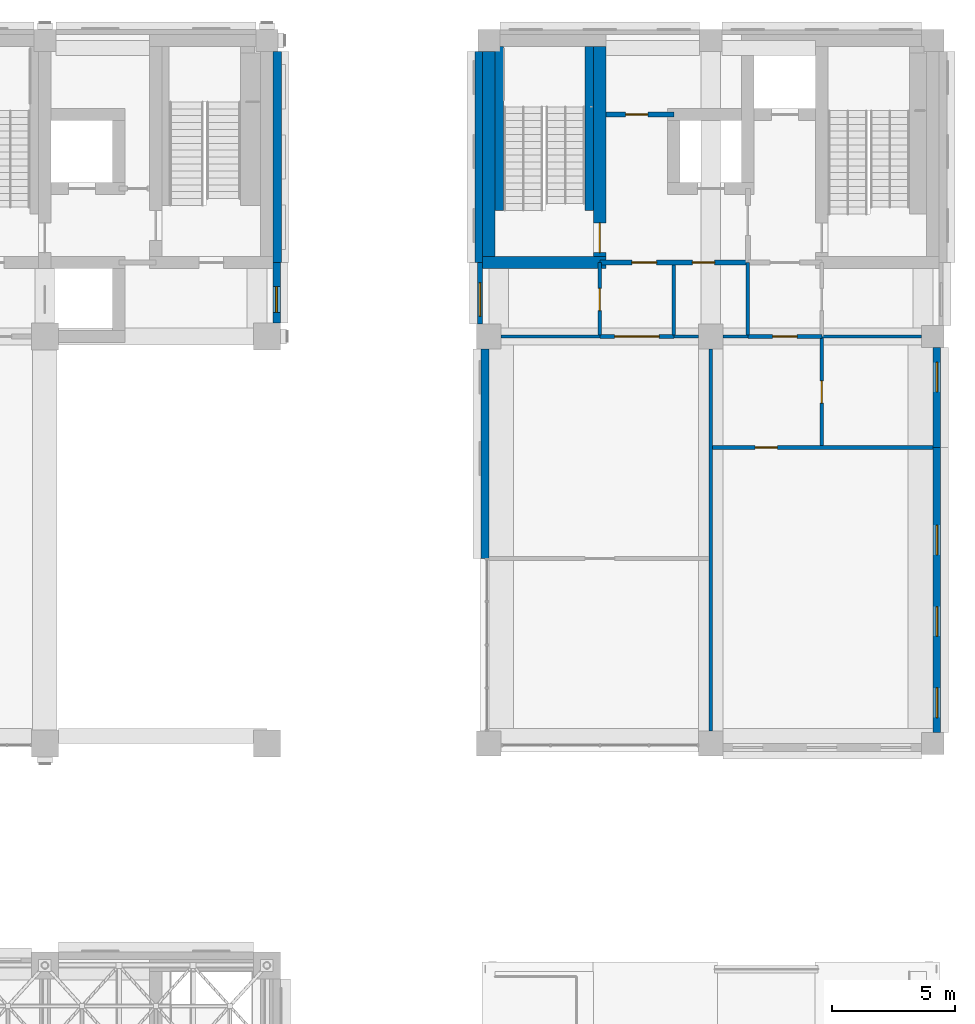
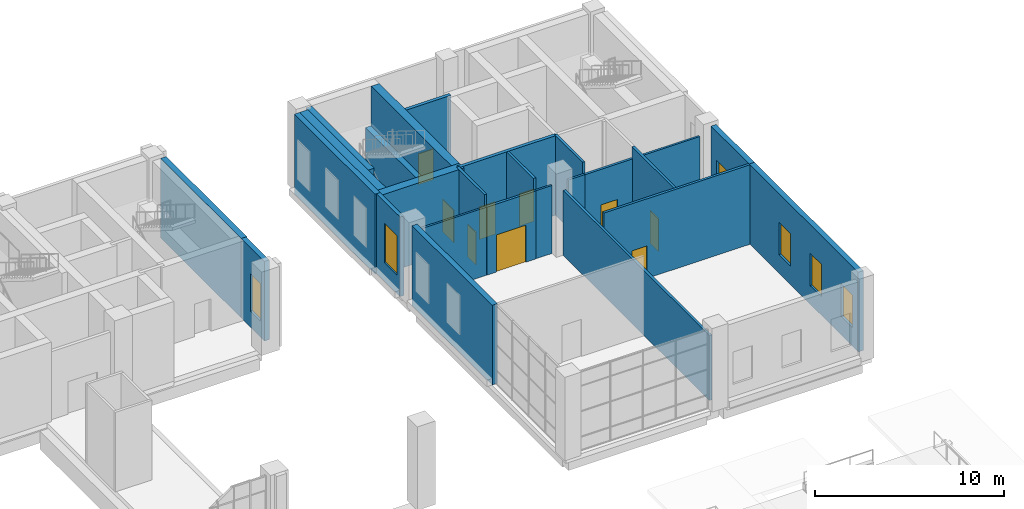
# One storey, part 34 of 53: 26 walls, 9 doors, 6 windows, 15 openings.
"""IFC4 building model written with IfcOpenShell, lengths in metres."""

from ifc_helpers import new_model, si_unit, direction, frame, frame_2d, origin, place, context, subcontext, project, spatial, rectangle, extrude, material, layer, layer_set, type_object, element, fill, save


model = new_model("IFC4")

# Units and contexts
model_context = context("Model", 3, precision=1e-05, world=origin(), true_north=direction((0.0, 1.0)))
body_context = subcontext(model_context, "Body", "Model", "MODEL_VIEW")
ifc_project = project(units=[si_unit("LENGTHUNIT", "METRE"), si_unit("AREAUNIT", "SQUARE_METRE"), si_unit("VOLUMEUNIT", "CUBIC_METRE"), si_unit("PLANEANGLEUNIT", "RADIAN"), si_unit("MASSUNIT", "GRAM", prefix="KILO")], contexts=[model_context])

# Site, building, storey
site_placement = place(None, origin())
site = spatial("IfcSite", under=ifc_project, at=site_placement, CompositionType="ELEMENT")
building_placement = place(site_placement, origin())
building = spatial("IfcBuilding", under=site, at=building_placement, Name="Aurelan Courthouse", CompositionType="ELEMENT")
storey_placement = place(building_placement, frame((0.0, 0.0, 12.0)))
storey = spatial("IfcBuildingStorey", under=building, at=storey_placement, Name="L02", CompositionType="ELEMENT", Elevation=12.0)

# Wall, opening, door
ifc_material_1 = material(Name="Gypsum board on metal studs")
ifc_layer_1 = layer(ifc_material_1, 0.14990234375)
ifc_layer_set_1 = layer_set([ifc_layer_1], Name="Gypsum board on metal studs")
wall_type_1 = type_object("IfcWallType", Name="Corridor partition 150 EI 60", PredefinedType="PARTITIONING", material=ifc_layer_set_1)
wall_1_placement = place(storey_placement, frame((76.5, 54.0, 0.0), z_axis=(0.0, 0.0, 1.0), x_axis=(1.0, 0.0, 0.0)))
wall_1 = element("IfcWall", 1, at=wall_1_placement, inside=storey, type_object=wall_type_1, Name="Corridor partition L02-033", PredefinedType="PARTITIONING", context=body_context, shape_type="SweptSolid", body=[
    extrude(rectangle(XDim=3.0, YDim=0.14990234375, at=frame_2d((1.5, 0.0))), origin(), (0.0, 0.0, 1.0), 4.39990234375),
])
opening_1_placement = place(wall_1_placement, frame((2.400146484375, 0.0, 0.0), z_axis=(0.0, 0.0, 1.0), x_axis=(-1.0, 0.0, 0.0)))
opening_1 = element("IfcOpeningElement", 2, at=opening_1_placement, cuts=wall_1, Name="Opening D-L02-042", PredefinedType="OPENING", context=body_context, shape_type="SweptSolid", body=[
    extrude(rectangle(XDim=1.800048828125, YDim=2.39990234375, at=frame_2d((0.89990234375, 1.199951171875))), frame((0.0, 0.0849609375, 0.0), z_axis=(0.0, -1.0, 0.0), x_axis=(1.0, 0.0, 0.0)), (0.0, 0.0, 1.0), 0.169921875),
])
ifc_material_2 = material(Name="Steel", Category="steel")
door_type_1 = type_object("IfcDoorType", Name="Double door 1800 x 2400 FD60", OperationType="DOUBLE_DOOR_SINGLE_SWING", PredefinedType="DOOR", material=ifc_material_2)
door_1_placement = place(opening_1_placement, origin())
door_1 = element("IfcDoor", 3, at=door_1_placement, inside=storey, type_object=door_type_1, Name="Double door D-L02-042", OperationType="DOUBLE_DOOR_SINGLE_SWING", OverallHeight=2.39990234375, OverallWidth=1.800048828125, PredefinedType="DOOR", context=body_context, shape_type="SweptSolid", body=[
    extrude(rectangle(XDim=1.800048828125, YDim=2.39990234375, at=frame_2d((0.89990234375, 1.199951171875))), frame((0.0, 0.02490234375, 0.0), z_axis=(0.0, -1.0, 0.0), x_axis=(1.0, 0.0, 0.0)), (0.0, 0.0, 1.0), 0.050048828125),
])
fill(opening_1, door_1)

wall_2_placement = place(storey_placement, frame((82.5, 54.0, 0.0), z_axis=(0.0, 0.0, 1.0), x_axis=(1.0, 0.0, 0.0)))
wall_2 = element("IfcWall", 4, at=wall_2_placement, inside=storey, type_object=wall_type_1, Name="Corridor partition L02-036", PredefinedType="PARTITIONING", context=body_context, shape_type="SweptSolid", body=[
    extrude(rectangle(XDim=3.0, YDim=0.14990234375, at=frame_2d((1.5, 0.0))), origin(), (0.0, 0.0, 1.0), 4.39990234375),
])
opening_2_placement = place(wall_2_placement, frame((2.0, 0.0, 0.0), z_axis=(0.0, 0.0, 1.0), x_axis=(-1.0, 0.0, 0.0)))
opening_2 = element("IfcOpeningElement", 5, at=opening_2_placement, cuts=wall_2, Name="Opening D-L02-044", PredefinedType="OPENING", context=body_context, shape_type="SweptSolid", body=[
    extrude(rectangle(XDim=1.0, YDim=2.10009765625, at=frame_2d((0.5, 1.050048828125))), frame((0.0, 0.0849609375, 0.0), z_axis=(0.0, -1.0, 0.0), x_axis=(1.0, 0.0, 0.0)), (0.0, 0.0, 1.0), 0.169921875),
])
door_type_2 = type_object("IfcDoorType", Name="Single door 1000 x 2100 FD60", OperationType="SINGLE_SWING_LEFT", PredefinedType="DOOR", material=ifc_material_2)
door_2_placement = place(opening_2_placement, origin())
door_2 = element("IfcDoor", 6, at=door_2_placement, inside=storey, type_object=door_type_2, Name="Single door D-L02-044", OperationType="SINGLE_SWING_LEFT", OverallHeight=2.10009765625, OverallWidth=1.0, PredefinedType="DOOR", context=body_context, shape_type="SweptSolid", body=[
    extrude(rectangle(XDim=1.0, YDim=2.10009765625, at=frame_2d((0.5, 1.050048828125))), frame((0.0, 0.02490234375, 0.0), z_axis=(0.0, -1.0, 0.0), x_axis=(1.0, 0.0, 0.0)), (0.0, 0.0, 1.0), 0.050048828125),
])
fill(opening_2, door_2)

wall_3_placement = place(storey_placement, frame((76.5, 54.0625, 0.0), z_axis=(0.0, 0.0, 1.0), x_axis=(0.0, 1.0, 0.0)))
wall_3 = element("IfcWall", 7, at=wall_3_placement, inside=storey, type_object=wall_type_1, Name="Corridor partition L02-077", PredefinedType="PARTITIONING", context=body_context, shape_type="SweptSolid", body=[
    extrude(rectangle(XDim=2.9375, YDim=0.14990234375, at=frame_2d((1.46875, 0.0))), origin(), (0.0, 0.0, 1.0), 5.14990234375),
])
opening_3_placement = place(wall_3_placement, frame((0.987548828125, 0.0, 0.0)))
opening_3 = element("IfcOpeningElement", 8, at=opening_3_placement, cuts=wall_3, Name="Opening D-L02-040", PredefinedType="OPENING", context=body_context, shape_type="SweptSolid", body=[
    extrude(rectangle(XDim=0.89990234375, YDim=2.10009765625, at=frame_2d((0.449951171875, 1.050048828125))), frame((0.0, 0.0849609375, 0.0), z_axis=(0.0, -1.0, 0.0), x_axis=(1.0, 0.0, 0.0)), (0.0, 0.0, 1.0), 0.169921875),
])
door_type_3 = type_object("IfcDoorType", Name="Single door 900 x 2100 FD60", OperationType="SINGLE_SWING_LEFT", PredefinedType="DOOR", material=ifc_material_2)
door_3_placement = place(opening_3_placement, origin())
door_3 = element("IfcDoor", 9, at=door_3_placement, inside=storey, type_object=door_type_3, Name="Single door D-L02-040", OperationType="SINGLE_SWING_LEFT", OverallHeight=2.10009765625, OverallWidth=0.89990234375, PredefinedType="DOOR", context=body_context, shape_type="SweptSolid", body=[
    extrude(rectangle(XDim=0.89990234375, YDim=2.10009765625, at=frame_2d((0.449951171875, 1.050048828125))), frame((0.0, 0.02490234375, 0.0), z_axis=(0.0, -1.0, 0.0), x_axis=(1.0, 0.0, 0.0)), (0.0, 0.0, 1.0), 0.050048828125),
])
fill(opening_3, door_3)

# Walls
wall_4_placement = place(storey_placement, frame((79.5, 54.0625, 0.0), z_axis=(0.0, 0.0, 1.0), x_axis=(0.0, 1.0, 0.0)))
element("IfcWall", 10, at=wall_4_placement, inside=storey, type_object=wall_type_1, Name="Corridor partition L02-078", PredefinedType="PARTITIONING", context=body_context, shape_type="SweptSolid", body=[
    extrude(rectangle(XDim=2.83740234375, YDim=0.14990234375, at=frame_2d((1.418701171875, 0.0))), origin(), (0.0, 0.0, 1.0), 5.14990234375),
])
wall_5_placement = place(storey_placement, frame((82.5, 54.0625, 0.0), z_axis=(0.0, 0.0, 1.0), x_axis=(0.0, 1.0, 0.0)))
element("IfcWall", 11, at=wall_5_placement, inside=storey, type_object=wall_type_1, Name="Corridor partition L02-080", PredefinedType="PARTITIONING", context=body_context, shape_type="SweptSolid", body=[
    extrude(rectangle(XDim=2.9375, YDim=0.14990234375, at=frame_2d((1.46875, 0.0))), origin(), (0.0, 0.0, 1.0), 5.14990234375),
])

# Wall, opening, window
ifc_material_3 = material(Name="Limestone cladding", Category="masonry")
ifc_layer_2 = layer(ifc_material_3, 0.0849609375, Name="Facing")
ifc_material_4 = material(Name="Ventilated cavity")
ifc_layer_3 = layer(ifc_material_4, 0.02490234375, ventilated=True, Name="Ventilated cavity")
ifc_material_5 = material(Name="Mineral wool insulation")
ifc_layer_4 = layer(ifc_material_5, 0.044921875, Name="Insulation")
ifc_material_6 = material(Name="Concrete C30", Category="concrete")
ifc_layer_5 = layer(ifc_material_6, 0.14501953125, Name="Structure")
ifc_layer_set_2 = layer_set([ifc_layer_2, ifc_layer_3, ifc_layer_4, ifc_layer_5], Name="Concrete C30")
wall_type_2 = type_object("IfcWallType", Name="Courtroom Block stone-faced wall 300", PredefinedType="SOLIDWALL", material=ifc_layer_set_2)
wall_6_placement = place(storey_placement, frame((63.39990234375, 54.550048828125, 0.0), z_axis=(0.0, 0.0, 1.0), x_axis=(0.0, 1.0, 0.0)))
wall_6 = element("IfcWall", 12, at=wall_6_placement, inside=storey, type_object=wall_type_2, Name="Facade wall FW-V2-L02-005", PredefinedType="SOLIDWALL", context=body_context, shape_type="SweptSolid", body=[
    extrude(rectangle(XDim=2.449951171875, YDim=0.300048828125, at=frame_2d((1.22509765625, 0.0))), origin(), (0.0, 0.0, 1.0), 5.14990234375),
])
opening_4_placement = place(wall_6_placement, frame((0.425048828125, 0.0, 1.050048828125)))
opening_4 = element("IfcOpeningElement", 13, at=opening_4_placement, cuts=wall_6, Name="Opening WN-V2-L02-004", PredefinedType="OPENING", context=body_context, shape_type="SweptSolid", body=[
    extrude(rectangle(XDim=1.050048828125, YDim=2.39990234375, at=frame_2d((0.52490234375, 1.199951171875))), frame((0.0, 0.159912109375, 0.0), z_axis=(0.0, -1.0, 0.0), x_axis=(1.0, 0.0, 0.0)), (0.0, 0.0, 1.0), 0.320068359375),
])
ifc_material_7 = material(Name="Bronze-finished aluminium and glass", Category="aluminium")
window_type_1 = type_object("IfcWindowType", Name="Courtroom Block window 1050 x 2400, sill 1050", PartitioningType="SINGLE_PANEL", PredefinedType="WINDOW", material=ifc_material_7)
window_1_placement = place(opening_4_placement, origin())
window_1 = element("IfcWindow", 14, at=window_1_placement, inside=storey, type_object=window_type_1, Name="Window WN-V2-L02-004", OverallHeight=2.39990234375, OverallWidth=1.050048828125, PartitioningType="SINGLE_PANEL", PredefinedType="WINDOW", context=body_context, shape_type="SweptSolid", body=[
    extrude(rectangle(XDim=1.050048828125, YDim=2.39990234375, at=frame_2d((0.52490234375, 1.199951171875))), frame((0.0, 0.030029296875, 0.0), z_axis=(0.0, -1.0, 0.0), x_axis=(1.0, 0.0, 0.0)), (0.0, 0.0, 1.0), 0.06005859375),
])
fill(opening_4, window_1)

# Wall
ifc_layer_6 = layer(ifc_material_3, 0.10009765625, Name="Facing")
ifc_layer_7 = layer(ifc_material_4, 0.02490234375, ventilated=True, Name="Ventilated cavity")
ifc_layer_8 = layer(ifc_material_5, 0.050048828125, Name="Insulation")
ifc_layer_9 = layer(ifc_material_6, 0.175048828125, Name="Structure")
ifc_layer_set_3 = layer_set([ifc_layer_6, ifc_layer_7, ifc_layer_8, ifc_layer_9], Name="Concrete C30")
wall_type_3 = type_object("IfcWallType", Name="Courtroom Block stone-faced wall 350", PredefinedType="SOLIDWALL", material=ifc_layer_set_3)
wall_7_placement = place(storey_placement, frame((63.425048828125, 57.0, 0.0), z_axis=(0.0, 0.0, 1.0), x_axis=(0.0, 1.0, 0.0)))
element("IfcWall", 15, at=wall_7_placement, inside=storey, type_object=wall_type_3, Name="Facade wall FW-V2-L02-006", PredefinedType="SOLIDWALL", context=body_context, shape_type="SweptSolid", body=[
    extrude(rectangle(XDim=8.550048828125, YDim=0.35009765625, at=frame_2d((4.27490234375, 0.0))), origin(), (0.0, 0.0, 1.0), 5.14990234375),
])

# Wall, opening, window
ifc_layer_10 = layer(ifc_material_3, 0.06494140625, Name="Facing")
ifc_layer_11 = layer(ifc_material_4, 0.02490234375, ventilated=True, Name="Ventilated cavity")
ifc_layer_12 = layer(ifc_material_5, 0.030029296875, Name="Insulation")
ifc_layer_13 = layer(ifc_material_6, 0.10009765625, Name="Structure")
ifc_layer_set_4 = layer_set([ifc_layer_10, ifc_layer_11, ifc_layer_12, ifc_layer_13], Name="Concrete C30")
wall_type_4 = type_object("IfcWallType", Name="Law Library stone-faced wall 220", PredefinedType="SOLIDWALL", material=ifc_layer_set_4)
wall_8_placement = place(storey_placement, frame((71.639892578125, 54.5, 0.0), z_axis=(0.0, 0.0, 1.0), x_axis=(0.0, 1.0, 0.0)))
wall_8 = element("IfcWall", 16, at=wall_8_placement, inside=storey, type_object=wall_type_4, Name="Facade wall FW-V3-L02-009", PredefinedType="SOLIDWALL", context=body_context, shape_type="SweptSolid", body=[
    extrude(rectangle(XDim=2.5, YDim=0.219970703125, at=frame_2d((1.25, 0.0))), origin(), (0.0, 0.0, 1.0), 5.14990234375),
])
opening_5_placement = place(wall_8_placement, frame((0.324951171875, 0.0, 1.199951171875)))
opening_5 = element("IfcOpeningElement", 17, at=opening_5_placement, cuts=wall_8, Name="Opening WN-V3-L02-009", PredefinedType="OPENING", context=body_context, shape_type="SweptSolid", body=[
    extrude(rectangle(XDim=1.35009765625, YDim=2.550048828125, at=frame_2d((0.675048828125, 1.27490234375))), frame((0.0, 0.119873046875, 0.0), z_axis=(0.0, -1.0, 0.0), x_axis=(1.0, 0.0, 0.0)), (0.0, 0.0, 1.0), 0.239990234375),
])
window_type_2 = type_object("IfcWindowType", Name="Law Library window 1350 x 2550, sill 1200", PartitioningType="SINGLE_PANEL", PredefinedType="WINDOW", material=ifc_material_7)
window_2_placement = place(opening_5_placement, origin())
window_2 = element("IfcWindow", 18, at=window_2_placement, inside=storey, type_object=window_type_2, Name="Window WN-V3-L02-009", OverallHeight=2.550048828125, OverallWidth=1.35009765625, PartitioningType="SINGLE_PANEL", PredefinedType="WINDOW", context=body_context, shape_type="SweptSolid", body=[
    extrude(rectangle(XDim=1.35009765625, YDim=2.550048828125, at=frame_2d((0.675048828125, 1.27490234375))), frame((0.0, 0.030029296875, 0.0), z_axis=(0.0, -1.0, 0.0), x_axis=(1.0, 0.0, 0.0)), (0.0, 0.0, 1.0), 0.06005859375),
])
fill(opening_5, window_2)

# Wall, openings, windows
ifc_layer_14 = layer(ifc_material_3, 0.090087890625, Name="Facing")
ifc_layer_15 = layer(ifc_material_4, 0.02490234375, ventilated=True, Name="Ventilated cavity")
ifc_layer_16 = layer(ifc_material_5, 0.044921875, Name="Insulation")
ifc_layer_17 = layer(ifc_material_6, 0.159912109375, Name="Structure")
ifc_layer_set_5 = layer_set([ifc_layer_14, ifc_layer_15, ifc_layer_16, ifc_layer_17], Name="Concrete C30")
wall_type_5 = type_object("IfcWallType", Name="Law Library stone-faced wall 320", PredefinedType="SOLIDWALL", material=ifc_layer_set_5)
wall_9_placement = place(storey_placement, frame((90.159912109375, 37.949951171875, 0.0), z_axis=(0.0, 0.0, 1.0), x_axis=(0.0, 1.0, 0.0)))
wall_9 = element("IfcWall", 19, at=wall_9_placement, inside=storey, type_object=wall_type_5, Name="Facade wall FW-V3-L02-004", PredefinedType="SOLIDWALL", context=body_context, shape_type="SweptSolid", body=[
    extrude(rectangle(XDim=11.550048828125, YDim=0.320068359375, at=frame_2d((5.77490234375, 0.0))), origin(), (0.0, 0.0, 1.0), 5.14990234375),
])
opening_6_placement = place(wall_9_placement, frame((0.60009765625, 0.0, 1.199951171875)))
opening_6 = element("IfcOpeningElement", 20, at=opening_6_placement, cuts=wall_9, Name="Opening WN-V3-L02-004", PredefinedType="OPENING", context=body_context, shape_type="SweptSolid", body=[
    extrude(rectangle(XDim=1.199951171875, YDim=2.10009765625, at=frame_2d((0.60009765625, 1.050048828125))), frame((0.0, 0.169921875, 0.0), z_axis=(0.0, -1.0, 0.0), x_axis=(1.0, 0.0, 0.0)), (0.0, 0.0, 1.0), 0.340087890625),
])
opening_7_placement = place(wall_9_placement, frame((3.89990234375, 0.0, 1.199951171875)))
opening_7 = element("IfcOpeningElement", 21, at=opening_7_placement, cuts=wall_9, Name="Opening WN-V3-L02-005", PredefinedType="OPENING", context=body_context, shape_type="SweptSolid", body=[
    extrude(rectangle(XDim=1.199951171875, YDim=2.10009765625, at=frame_2d((0.60009765625, 1.050048828125))), frame((0.0, 0.169921875, 0.0), z_axis=(0.0, -1.0, 0.0), x_axis=(1.0, 0.0, 0.0)), (0.0, 0.0, 1.0), 0.340087890625),
])
opening_8_placement = place(wall_9_placement, frame((7.199951171875, 0.0, 1.199951171875)))
opening_8 = element("IfcOpeningElement", 22, at=opening_8_placement, cuts=wall_9, Name="Opening WN-V3-L02-006", PredefinedType="OPENING", context=body_context, shape_type="SweptSolid", body=[
    extrude(rectangle(XDim=1.199951171875, YDim=2.10009765625, at=frame_2d((0.60009765625, 1.050048828125))), frame((0.0, 0.169921875, 0.0), z_axis=(0.0, -1.0, 0.0), x_axis=(1.0, 0.0, 0.0)), (0.0, 0.0, 1.0), 0.340087890625),
])
window_type_3 = type_object("IfcWindowType", Name="Law Library window 1200 x 2100, sill 1200", PartitioningType="SINGLE_PANEL", PredefinedType="WINDOW", material=ifc_material_7)
window_3_placement = place(opening_6_placement, origin())
window_3 = element("IfcWindow", 23, at=window_3_placement, inside=storey, type_object=window_type_3, Name="Window WN-V3-L02-004", OverallHeight=2.10009765625, OverallWidth=1.199951171875, PartitioningType="SINGLE_PANEL", PredefinedType="WINDOW", context=body_context, shape_type="SweptSolid", body=[
    extrude(rectangle(XDim=1.199951171875, YDim=2.10009765625, at=frame_2d((0.60009765625, 1.050048828125))), frame((0.0, 0.030029296875, 0.0), z_axis=(0.0, -1.0, 0.0), x_axis=(1.0, 0.0, 0.0)), (0.0, 0.0, 1.0), 0.06005859375),
])
fill(opening_6, window_3)
window_4_placement = place(opening_7_placement, origin())
window_4 = element("IfcWindow", 24, at=window_4_placement, inside=storey, type_object=window_type_3, Name="Window WN-V3-L02-005", OverallHeight=2.10009765625, OverallWidth=1.199951171875, PartitioningType="SINGLE_PANEL", PredefinedType="WINDOW", context=body_context, shape_type="SweptSolid", body=[
    extrude(rectangle(XDim=1.199951171875, YDim=2.10009765625, at=frame_2d((0.60009765625, 1.050048828125))), frame((0.0, 0.030029296875, 0.0), z_axis=(0.0, -1.0, 0.0), x_axis=(1.0, 0.0, 0.0)), (0.0, 0.0, 1.0), 0.06005859375),
])
fill(opening_7, window_4)
window_5_placement = place(opening_8_placement, origin())
window_5 = element("IfcWindow", 25, at=window_5_placement, inside=storey, type_object=window_type_3, Name="Window WN-V3-L02-006", OverallHeight=2.10009765625, OverallWidth=1.199951171875, PartitioningType="SINGLE_PANEL", PredefinedType="WINDOW", context=body_context, shape_type="SweptSolid", body=[
    extrude(rectangle(XDim=1.199951171875, YDim=2.10009765625, at=frame_2d((0.60009765625, 1.050048828125))), frame((0.0, 0.030029296875, 0.0), z_axis=(0.0, -1.0, 0.0), x_axis=(1.0, 0.0, 0.0)), (0.0, 0.0, 1.0), 0.06005859375),
])
fill(opening_8, window_5)

# Wall, opening, window
wall_10_placement = place(storey_placement, frame((90.159912109375, 49.5, 0.0), z_axis=(0.0, 0.0, 1.0), x_axis=(0.0, 1.0, 0.0)))
wall_10 = element("IfcWall", 26, at=wall_10_placement, inside=storey, type_object=wall_type_5, Name="Facade wall FW-V3-L02-005", PredefinedType="SOLIDWALL", context=body_context, shape_type="SweptSolid", body=[
    extrude(rectangle(XDim=4.050048828125, YDim=0.320068359375, at=frame_2d((2.02490234375, 0.0))), origin(), (0.0, 0.0, 1.0), 5.14990234375),
])
opening_9_placement = place(wall_10_placement, frame((2.25, 0.0, 1.199951171875)))
opening_9 = element("IfcOpeningElement", 27, at=opening_9_placement, cuts=wall_10, Name="Opening WN-V3-L02-007", PredefinedType="OPENING", context=body_context, shape_type="SweptSolid", body=[
    extrude(rectangle(XDim=1.199951171875, YDim=2.10009765625, at=frame_2d((0.60009765625, 1.050048828125))), frame((0.0, 0.169921875, 0.0), z_axis=(0.0, -1.0, 0.0), x_axis=(1.0, 0.0, 0.0)), (0.0, 0.0, 1.0), 0.340087890625),
])
window_6_placement = place(opening_9_placement, origin())
window_6 = element("IfcWindow", 28, at=window_6_placement, inside=storey, type_object=window_type_3, Name="Window WN-V3-L02-007", OverallHeight=2.10009765625, OverallWidth=1.199951171875, PartitioningType="SINGLE_PANEL", PredefinedType="WINDOW", context=body_context, shape_type="SweptSolid", body=[
    extrude(rectangle(XDim=1.199951171875, YDim=2.10009765625, at=frame_2d((0.60009765625, 1.050048828125))), frame((0.0, 0.030029296875, 0.0), z_axis=(0.0, -1.0, 0.0), x_axis=(1.0, 0.0, 0.0)), (0.0, 0.0, 1.0), 0.06005859375),
])
fill(opening_9, window_6)

# Walls
wall_11_placement = place(storey_placement, frame((71.840087890625, 45.0, 0.0), z_axis=(0.0, 0.0, 1.0), x_axis=(0.0, 1.0, 0.0)))
element("IfcWall", 29, at=wall_11_placement, inside=storey, type_object=wall_type_5, Name="Facade wall FW-V3-L02-008", PredefinedType="SOLIDWALL", context=body_context, shape_type="SweptSolid", body=[
    extrude(rectangle(XDim=8.5, YDim=0.320068359375, at=frame_2d((4.25, 0.0))), origin(), (0.0, 0.0, 1.0), 5.14990234375),
])
wall_12_placement = place(storey_placement, frame((71.590087890625, 57.0, 0.0), z_axis=(0.0, 0.0, 1.0), x_axis=(0.0, 1.0, 0.0)))
element("IfcWall", 30, at=wall_12_placement, inside=storey, type_object=wall_type_5, Name="Facade wall FW-V3-L02-010", PredefinedType="SOLIDWALL", context=body_context, shape_type="SweptSolid", body=[
    extrude(rectangle(XDim=8.550048828125, YDim=0.320068359375, at=frame_2d((4.27490234375, 0.0))), origin(), (0.0, 0.0, 1.0), 5.14990234375),
])

# Wall, openings, doors
ifc_material_8 = material(Name="Masonry block", Category="masonry")
ifc_layer_18 = layer(ifc_material_8, 0.199951171875)
ifc_layer_set_6 = layer_set([ifc_layer_18], Name="Masonry block")
wall_type_6 = type_object("IfcWallType", Name="Lift lobby wall 200 EI 60", PredefinedType="PARTITIONING", material=ifc_layer_set_6)
wall_13_placement = place(storey_placement, frame((76.5, 57.0, 0.0), z_axis=(0.0, 0.0, 1.0), x_axis=(1.0, 0.0, 0.0)))
wall_13 = element("IfcWall", 31, at=wall_13_placement, inside=storey, type_object=wall_type_6, Name="Lift lobby wall L02-043", PredefinedType="PARTITIONING", context=body_context, shape_type="SweptSolid", body=[
    extrude(rectangle(XDim=6.0, YDim=0.199951171875, at=frame_2d((3.0, 0.0))), origin(), (0.0, 0.0, 1.0), 5.14990234375),
])
opening_10_placement = place(wall_13_placement, frame((4.64990234375, 0.0, 0.0), z_axis=(0.0, 0.0, 1.0), x_axis=(-1.0, 0.0, 0.0)))
opening_10 = element("IfcOpeningElement", 32, at=opening_10_placement, cuts=wall_13, Name="Opening D-L02-037", PredefinedType="OPENING", context=body_context, shape_type="SweptSolid", body=[
    extrude(rectangle(XDim=0.89990234375, YDim=2.10009765625, at=frame_2d((0.449951171875, 1.050048828125))), frame((0.0, 0.10986328125, 0.0), z_axis=(0.0, -1.0, 0.0), x_axis=(1.0, 0.0, 0.0)), (0.0, 0.0, 1.0), 0.219970703125),
])
opening_11_placement = place(wall_13_placement, frame((1.300048828125, 0.0, 0.0)))
opening_11 = element("IfcOpeningElement", 33, at=opening_11_placement, cuts=wall_13, Name="Opening D-L02-038", PredefinedType="OPENING", context=body_context, shape_type="SweptSolid", body=[
    extrude(rectangle(XDim=1.0, YDim=2.10009765625, at=frame_2d((0.5, 1.050048828125))), frame((0.0, 0.10986328125, 0.0), z_axis=(0.0, -1.0, 0.0), x_axis=(1.0, 0.0, 0.0)), (0.0, 0.0, 1.0), 0.219970703125),
])
door_4_placement = place(opening_11_placement, origin())
door_4 = element("IfcDoor", 34, at=door_4_placement, inside=storey, type_object=door_type_2, Name="Single door D-L02-038", OperationType="SINGLE_SWING_LEFT", OverallHeight=2.10009765625, OverallWidth=1.0, PredefinedType="DOOR", context=body_context, shape_type="SweptSolid", body=[
    extrude(rectangle(XDim=1.0, YDim=2.10009765625, at=frame_2d((0.5, 1.050048828125))), frame((0.0, 0.02490234375, 0.0), z_axis=(0.0, -1.0, 0.0), x_axis=(1.0, 0.0, 0.0)), (0.0, 0.0, 1.0), 0.050048828125),
])
fill(opening_11, door_4)
door_5_placement = place(opening_10_placement, origin())
door_5 = element("IfcDoor", 35, at=door_5_placement, inside=storey, type_object=door_type_3, Name="Single door D-L02-037", OperationType="SINGLE_SWING_RIGHT", OverallHeight=2.10009765625, OverallWidth=0.89990234375, PredefinedType="DOOR", context=body_context, shape_type="SweptSolid", body=[
    extrude(rectangle(XDim=0.89990234375, YDim=2.10009765625, at=frame_2d((0.449951171875, 1.050048828125))), frame((0.0, 0.02490234375, 0.0), z_axis=(0.0, -1.0, 0.0), x_axis=(1.0, 0.0, 0.0)), (0.0, 0.0, 1.0), 0.050048828125),
])
fill(opening_10, door_5)

# Wall, opening, door
ifc_layer_19 = layer(ifc_material_1, 0.14990234375)
ifc_layer_set_7 = layer_set([ifc_layer_19], Name="Gypsum board on metal studs")
wall_type_7 = type_object("IfcWallType", Name="Partition 150 NOT RATED", PredefinedType="PARTITIONING", material=ifc_layer_set_7)
wall_14_placement = place(storey_placement, frame((81.074951171875, 49.5, 0.0), z_axis=(0.0, 0.0, 1.0), x_axis=(1.0, 0.0, 0.0)))
wall_14 = element("IfcWall", 36, at=wall_14_placement, inside=storey, type_object=wall_type_7, Name="Partition L02-028", PredefinedType="PARTITIONING", context=body_context, shape_type="SweptSolid", body=[
    extrude(rectangle(XDim=8.925048828125, YDim=0.14990234375, at=frame_2d((4.46240234375, 0.0))), origin(), (0.0, 0.0, 1.0), 5.14990234375),
])
opening_12_placement = place(wall_14_placement, frame((2.625, 0.0, 0.0), z_axis=(0.0, 0.0, 1.0), x_axis=(-1.0, 0.0, 0.0)))
opening_12 = element("IfcOpeningElement", 37, at=opening_12_placement, cuts=wall_14, Name="Opening D-L02-046", PredefinedType="OPENING", context=body_context, shape_type="SweptSolid", body=[
    extrude(rectangle(XDim=0.89990234375, YDim=2.10009765625, at=frame_2d((0.449951171875, 1.050048828125))), frame((0.0, 0.0849609375, 0.0), z_axis=(0.0, -1.0, 0.0), x_axis=(1.0, 0.0, 0.0)), (0.0, 0.0, 1.0), 0.169921875),
])
ifc_material_9 = material(Name="Timber", Category="wood")
door_type_4 = type_object("IfcDoorType", Name="Single door 900 x 2100 NOT RATED", OperationType="SINGLE_SWING_LEFT", PredefinedType="DOOR", material=ifc_material_9)
door_6_placement = place(opening_12_placement, origin())
door_6 = element("IfcDoor", 38, at=door_6_placement, inside=storey, type_object=door_type_4, Name="Single door D-L02-046", OperationType="SINGLE_SWING_RIGHT", OverallHeight=2.10009765625, OverallWidth=0.89990234375, PredefinedType="DOOR", context=body_context, shape_type="SweptSolid", body=[
    extrude(rectangle(XDim=0.89990234375, YDim=2.10009765625, at=frame_2d((0.449951171875, 1.050048828125))), frame((0.0, 0.02490234375, 0.0), z_axis=(0.0, -1.0, 0.0), x_axis=(1.0, 0.0, 0.0)), (0.0, 0.0, 1.0), 0.050048828125),
])
fill(opening_12, door_6)

# Wall
wall_15_placement = place(storey_placement, frame((81.0, 38.0, 0.0), z_axis=(0.0, 0.0, 1.0), x_axis=(0.0, 1.0, 0.0)))
element("IfcWall", 39, at=wall_15_placement, inside=storey, type_object=wall_type_7, Name="Partition L02-079", PredefinedType="PARTITIONING", context=body_context, shape_type="SweptSolid", body=[
    extrude(rectangle(XDim=15.5, YDim=0.14990234375, at=frame_2d((7.75, 0.0))), origin(), (0.0, 0.0, 1.0), 4.199951171875),
])

# Wall, opening, door
wall_16_placement = place(storey_placement, frame((85.5, 49.574951171875, 0.0), z_axis=(0.0, 0.0, 1.0), x_axis=(0.0, 1.0, 0.0)))
wall_16 = element("IfcWall", 40, at=wall_16_placement, inside=storey, type_object=wall_type_7, Name="Partition L02-082", PredefinedType="PARTITIONING", context=body_context, shape_type="SweptSolid", body=[
    extrude(rectangle(XDim=4.425048828125, YDim=0.14990234375, at=frame_2d((2.21240234375, 0.0))), origin(), (0.0, 0.0, 1.0), 5.14990234375),
])
opening_13_placement = place(wall_16_placement, frame((2.625, 0.0, 0.0), z_axis=(0.0, 0.0, 1.0), x_axis=(-1.0, 0.0, 0.0)))
opening_13 = element("IfcOpeningElement", 41, at=opening_13_placement, cuts=wall_16, Name="Opening D-L02-045", PredefinedType="OPENING", context=body_context, shape_type="SweptSolid", body=[
    extrude(rectangle(XDim=0.89990234375, YDim=2.10009765625, at=frame_2d((0.449951171875, 1.050048828125))), frame((0.0, 0.0849609375, 0.0), z_axis=(0.0, -1.0, 0.0), x_axis=(1.0, 0.0, 0.0)), (0.0, 0.0, 1.0), 0.169921875),
])
door_7_placement = place(opening_13_placement, origin())
door_7 = element("IfcDoor", 42, at=door_7_placement, inside=storey, type_object=door_type_4, Name="Single door D-L02-045", OperationType="SINGLE_SWING_LEFT", OverallHeight=2.10009765625, OverallWidth=0.89990234375, PredefinedType="DOOR", context=body_context, shape_type="SweptSolid", body=[
    extrude(rectangle(XDim=0.89990234375, YDim=2.10009765625, at=frame_2d((0.449951171875, 1.050048828125))), frame((0.0, 0.02490234375, 0.0), z_axis=(0.0, -1.0, 0.0), x_axis=(1.0, 0.0, 0.0)), (0.0, 0.0, 1.0), 0.050048828125),
])
fill(opening_13, door_7)

# Walls
ifc_material_10 = material(Name="Concrete C50", Category="concrete")
ifc_layer_20 = layer(ifc_material_10, 0.5)
ifc_layer_set_8 = layer_set([ifc_layer_20], Name="Concrete C50")
wall_type_8 = type_object("IfcWallType", Name="RC shear wall 500", PredefinedType="SHEAR", material=ifc_layer_set_8)
wall_17_placement = place(storey_placement, frame((71.75, 57.0, 0.0), z_axis=(0.0, 0.0, 1.0), x_axis=(1.0, 0.0, 0.0)))
element("IfcWall", 43, at=wall_17_placement, inside=storey, type_object=wall_type_8, Name="Core wall SW-L02-042", PredefinedType="SHEAR", context=body_context, shape_type="SweptSolid", body=[
    extrude(rectangle(XDim=5.0, YDim=0.5, at=frame_2d((2.5, 0.0))), origin(), (0.0, 0.0, 1.0), 5.14990234375),
])
wall_18_placement = place(storey_placement, frame((72.0, 57.25, 0.0), z_axis=(0.0, 0.0, 1.0), x_axis=(0.0, 1.0, 0.0)))
element("IfcWall", 44, at=wall_18_placement, inside=storey, type_object=wall_type_8, Name="Core wall SW-L02-053", PredefinedType="SHEAR", context=body_context, shape_type="SweptSolid", body=[
    extrude(rectangle(XDim=8.300048828125, YDim=0.5, at=frame_2d((4.14990234375, 0.0))), origin(), (0.0, 0.0, 1.0), 5.14990234375),
])

# Wall, opening, door
wall_19_placement = place(storey_placement, frame((76.5, 57.25, 0.0), z_axis=(0.0, 0.0, 1.0), x_axis=(0.0, 1.0, 0.0)))
wall_19 = element("IfcWall", 45, at=wall_19_placement, inside=storey, type_object=wall_type_8, Name="Core wall SW-L02-054", PredefinedType="SHEAR", context=body_context, shape_type="SweptSolid", body=[
    extrude(rectangle(XDim=8.5, YDim=0.5, at=frame_2d((4.25, 0.0))), origin(), (0.0, 0.0, 1.0), 5.14990234375),
])
opening_14_placement = place(wall_19_placement, frame((0.14990234375, 0.0, 0.0)))
opening_14 = element("IfcOpeningElement", 46, at=opening_14_placement, cuts=wall_19, Name="Opening D-L02-031", PredefinedType="OPENING", context=body_context, shape_type="SweptSolid", body=[
    extrude(rectangle(XDim=1.199951171875, YDim=2.10009765625, at=frame_2d((0.60009765625, 1.050048828125))), frame((0.0, 0.260009765625, 0.0), z_axis=(0.0, -1.0, 0.0), x_axis=(1.0, 0.0, 0.0)), (0.0, 0.0, 1.0), 0.52001953125),
])
door_type_5 = type_object("IfcDoorType", Name="Single door 1200 x 2100 FD90", OperationType="SINGLE_SWING_LEFT", PredefinedType="DOOR", material=ifc_material_2)
door_8_placement = place(opening_14_placement, origin())
door_8 = element("IfcDoor", 47, at=door_8_placement, inside=storey, type_object=door_type_5, Name="Single door D-L02-031", OperationType="SINGLE_SWING_LEFT", OverallHeight=2.10009765625, OverallWidth=1.199951171875, PredefinedType="DOOR", context=body_context, shape_type="SweptSolid", body=[
    extrude(rectangle(XDim=1.199951171875, YDim=2.10009765625, at=frame_2d((0.60009765625, 1.050048828125))), frame((0.0, 0.02490234375, 0.0), z_axis=(0.0, -1.0, 0.0), x_axis=(1.0, 0.0, 0.0)), (0.0, 0.0, 1.0), 0.050048828125),
])
fill(opening_14, door_8)

ifc_layer_21 = layer(ifc_material_6, 0.199951171875)
ifc_layer_set_9 = layer_set([ifc_layer_21], Name="Concrete C30")
wall_type_9 = type_object("IfcWallType", Name="Shaft wall 200 EI 120 load-bearing", PredefinedType="SHEAR", material=ifc_layer_set_9)
wall_20_placement = place(storey_placement, frame((76.75, 63.0, 0.0), z_axis=(0.0, 0.0, 1.0), x_axis=(1.0, 0.0, 0.0)))
wall_20 = element("IfcWall", 48, at=wall_20_placement, inside=storey, type_object=wall_type_9, Name="Shaft wall L02-050", PredefinedType="SHEAR", context=body_context, shape_type="SweptSolid", body=[
    extrude(rectangle(XDim=2.75, YDim=0.199951171875, at=frame_2d((1.375, 0.0))), origin(), (0.0, 0.0, 1.0), 5.14990234375),
])
opening_15_placement = place(wall_20_placement, frame((0.800048828125, 0.0, 0.0)))
opening_15 = element("IfcOpeningElement", 49, at=opening_15_placement, cuts=wall_20, Name="Opening D-L02-034", PredefinedType="OPENING", context=body_context, shape_type="SweptSolid", body=[
    extrude(rectangle(XDim=0.89990234375, YDim=2.0, at=frame_2d((0.449951171875, 1.0))), frame((0.0, 0.10986328125, 0.0), z_axis=(0.0, -1.0, 0.0), x_axis=(1.0, 0.0, 0.0)), (0.0, 0.0, 1.0), 0.219970703125),
])
door_type_6 = type_object("IfcDoorType", Name="Single door 900 x 2000 FD90", OperationType="SINGLE_SWING_LEFT", PredefinedType="DOOR", material=ifc_material_2)
door_9_placement = place(opening_15_placement, origin())
door_9 = element("IfcDoor", 50, at=door_9_placement, inside=storey, type_object=door_type_6, Name="Single door D-L02-034", OperationType="SINGLE_SWING_LEFT", OverallHeight=2.0, OverallWidth=0.89990234375, PredefinedType="DOOR", context=body_context, shape_type="SweptSolid", body=[
    extrude(rectangle(XDim=0.89990234375, YDim=2.0, at=frame_2d((0.449951171875, 1.0))), frame((0.0, 0.02490234375, 0.0), z_axis=(0.0, -1.0, 0.0), x_axis=(1.0, 0.0, 0.0)), (0.0, 0.0, 1.0), 0.050048828125),
])
fill(opening_15, door_9)

# Walls
ifc_layer_22 = layer(ifc_material_6, 0.35009765625)
ifc_layer_set_10 = layer_set([ifc_layer_22], Name="Concrete C30")
wall_type_10 = type_object("IfcWallType", Name="Stair well wall 350 EI 120 load-bearing", PredefinedType="SHEAR", material=ifc_layer_set_10)
wall_21_placement = place(storey_placement, frame((72.425048828125, 59.110107421875, 0.0), z_axis=(0.0, 0.0, 1.0), x_axis=(0.0, 1.0, 0.0)))
element("IfcWall", 51, at=wall_21_placement, inside=storey, type_object=wall_type_10, Name="Stair well wall ST-3A-L02 A", PredefinedType="SHEAR", context=body_context, shape_type="SweptSolid", body=[
    extrude(rectangle(XDim=6.639892578125, YDim=0.35009765625, at=frame_2d((3.31982421875, 0.0))), origin(), (0.0, 0.0, 1.0), 5.14990234375),
])
wall_22_placement = place(storey_placement, frame((76.074951171875, 59.110107421875, 0.0), z_axis=(0.0, 0.0, 1.0), x_axis=(0.0, 1.0, 0.0)))
element("IfcWall", 52, at=wall_22_placement, inside=storey, type_object=wall_type_10, Name="Stair well wall ST-3A-L02 B", PredefinedType="SHEAR", context=body_context, shape_type="SweptSolid", body=[
    extrude(rectangle(XDim=6.639892578125, YDim=0.35009765625, at=frame_2d((3.31982421875, 0.0))), origin(), (0.0, 0.0, 1.0), 2.587158203125),
])
ifc_material_11 = material(Name="Moisture-resistant board on metal studs")
ifc_layer_23 = layer(ifc_material_11, 0.125)
ifc_layer_set_11 = layer_set([ifc_layer_23], Name="Moisture-resistant board on metal studs")
wall_type_11 = type_object("IfcWallType", Name="Wet-area partition 125 NOT RATED", PredefinedType="PARTITIONING", material=ifc_layer_set_11)
wall_23_placement = place(storey_placement, frame((72.5, 54.0, 0.0), z_axis=(0.0, 0.0, 1.0), x_axis=(1.0, 0.0, 0.0)))
element("IfcWall", 53, at=wall_23_placement, inside=storey, type_object=wall_type_11, Name="Wet-area partition L02-032", PredefinedType="PARTITIONING", context=body_context, shape_type="SweptSolid", body=[
    extrude(rectangle(XDim=4.0, YDim=0.125, at=frame_2d((2.0, 0.0))), origin(), (0.0, 0.0, 1.0), 4.39990234375),
])
for number, where, z_axis, x_axis, name in (
    (54, (79.5, 54.0, 0.0), (0.0, 0.0, 1.0), (1.0, 0.0, 0.0), "Wet-area partition L02-034"),
    (55, (81.5, 54.0, 0.0), (0.0, 0.0, 1.0), (1.0, 0.0, 0.0), "Wet-area partition L02-035"),
):
    element("IfcWall", number, at=place(storey_placement, frame(where, z_axis=z_axis, x_axis=x_axis)), inside=storey, type_object=wall_type_11, Name=name, PredefinedType="PARTITIONING", context=body_context, shape_type="SweptSolid", body=[
        extrude(rectangle(XDim=1.0, YDim=0.125, at=frame_2d((0.5, 0.0))), origin(), (0.0, 0.0, 1.0), 4.39990234375),
    ])
wall_24_placement = place(storey_placement, frame((85.5, 54.0, 0.0), z_axis=(0.0, 0.0, 1.0), x_axis=(1.0, 0.0, 0.0)))
element("IfcWall", 56, at=wall_24_placement, inside=storey, type_object=wall_type_11, Name="Wet-area partition L02-037", PredefinedType="PARTITIONING", context=body_context, shape_type="SweptSolid", body=[
    extrude(rectangle(XDim=4.050048828125, YDim=0.125, at=frame_2d((2.02490234375, 0.0))), origin(), (0.0, 0.0, 1.0), 4.39990234375),
])

save(model, "model.ifc")
